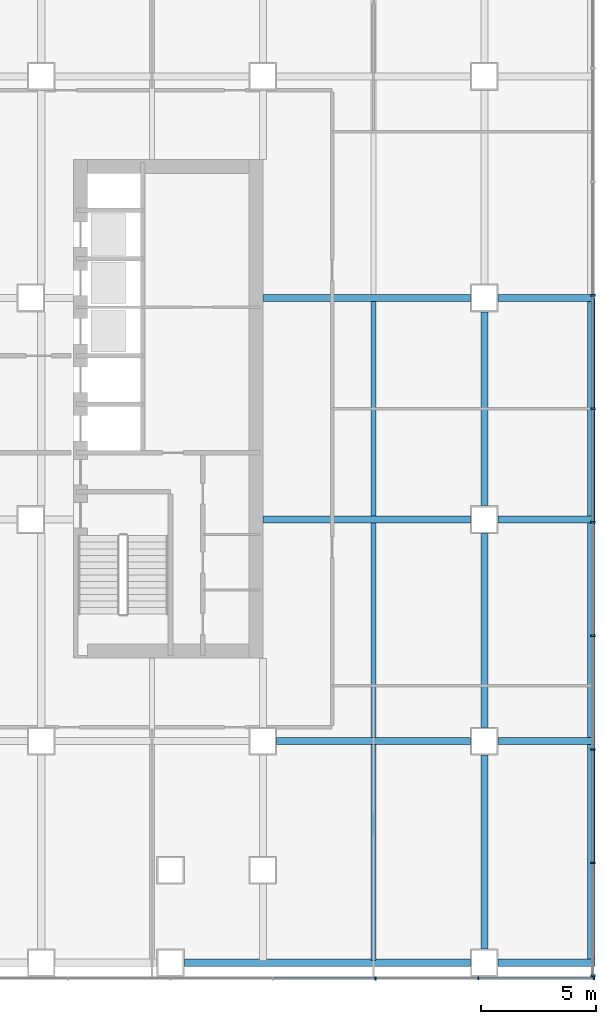
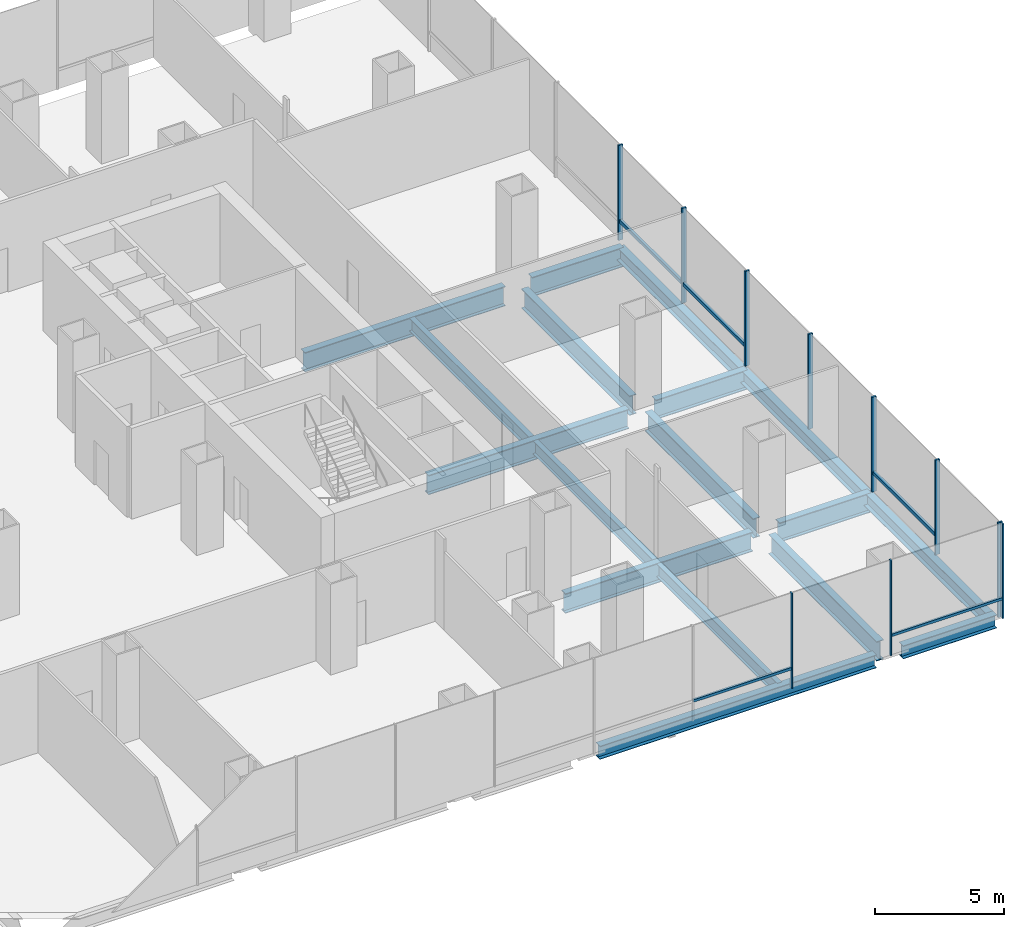
# One storey, part 12 of 23: 17 beams, 15 members, 2 elements without a shape of their own.
"""IFC4 building model written with IfcOpenShell, lengths in metres."""

from ifc_helpers import new_model, si_unit, direction, frame, origin, origin_2d, place, context, subcontext, project, spatial, rectangle, i_section, extrude, material, material_profile, profile_set, type_object, element, aggregate, save


model = new_model("IFC4")

# Units and contexts
model_context = context("Model", 3, precision=1e-05, world=origin(), true_north=direction((0.0, 1.0)))
body_context = subcontext(model_context, "Body", "Model", "MODEL_VIEW")
ifc_project = project(units=[si_unit("LENGTHUNIT", "METRE"), si_unit("AREAUNIT", "SQUARE_METRE"), si_unit("VOLUMEUNIT", "CUBIC_METRE"), si_unit("PLANEANGLEUNIT", "RADIAN"), si_unit("MASSUNIT", "GRAM", prefix="KILO")], contexts=[model_context])

# Site, building, storey
site_placement = place(None, origin())
site = spatial("IfcSite", under=ifc_project, at=site_placement, CompositionType="ELEMENT")
building_placement = place(site_placement, origin())
building = spatial("IfcBuilding", under=site, at=building_placement, Name="Cobrizo Arcos Hotel Tower", CompositionType="ELEMENT")
storey_placement = place(building_placement, frame((0.0, 0.0, 20.0)))
storey = spatial("IfcBuildingStorey", under=building, at=storey_placement, Name="L03", CompositionType="ELEMENT", Elevation=20.0)

# Curtain wall, members
ifc_material_1 = material(Name="Aluminium 6063-T6 anodised bronze", Category="aluminium")
curtain_wall_type_1 = type_object("IfcCurtainWallType", Name="CW-A guest facade", PredefinedType="NOTDEFINED", material=ifc_material_1)
curtain_wall_1_placement = place(storey_placement, origin())
curtain_wall_1 = element("IfcCurtainWall", 1, at=curtain_wall_1_placement, inside=storey, type_object=curtain_wall_type_1, Name="CW-A L03 S face", PredefinedType="NOTDEFINED")
ifc_material_profile_1 = material_profile(ifc_material_1, rectangle(XDim=0.14990234375, YDim=0.06005859375, at=origin_2d()), Name="CW-A mullion 150x60")
ifc_profile_set_1 = profile_set([ifc_material_profile_1], Name="Aluminium 6063-T6 anodised bronze")
member_type_1 = type_object("IfcMemberType", Name="CW-A mullion 150x60", PredefinedType="MULLION", material=ifc_profile_set_1)
member_1_placement = place(storey_placement, frame((28.888916015625, -24.675048828125, 0.0), z_axis=(0.0, 0.0, 1.0), x_axis=(0.0, -1.0, 0.0)))
member_1 = element("IfcMember", 2, at=member_1_placement, type_object=member_type_1, Name="CW-A mullion 16", PredefinedType="MULLION", context=body_context, shape_type="SweptSolid", body=[
    extrude(rectangle(XDim=0.14990234375, YDim=0.06005859375, at=origin_2d()), origin(), (0.0, 0.0, 1.0), 4.5),
])
member_2_placement = place(storey_placement, frame((33.333251953125, -24.675048828125, 0.0), z_axis=(0.0, 0.0, 1.0), x_axis=(0.0, -1.0, 0.0)))
member_2 = element("IfcMember", 3, at=member_2_placement, type_object=member_type_1, Name="CW-A mullion 17", PredefinedType="MULLION", context=body_context, shape_type="SweptSolid", body=[
    extrude(rectangle(XDim=0.14990234375, YDim=0.06005859375, at=origin_2d()), origin(), (0.0, 0.0, 1.0), 4.5),
])
member_3_placement = place(storey_placement, frame((38.344970703125, -24.675048828125, 0.0), z_axis=(0.0, 0.0, 1.0), x_axis=(0.0, -1.0, 0.0)))
member_3 = element("IfcMember", 4, at=member_3_placement, type_object=member_type_1, Name="CW-A mullion 18", PredefinedType="MULLION", context=body_context, shape_type="SweptSolid", body=[
    extrude(rectangle(XDim=0.14990234375, YDim=0.06005859375, at=origin_2d()), origin(), (0.0, 0.0, 1.0), 4.5),
])
ifc_material_profile_2 = material_profile(ifc_material_1, rectangle(XDim=0.10009765625, YDim=0.1201171875, at=origin_2d()), Name="CW-A transom 120x100")
ifc_profile_set_2 = profile_set([ifc_material_profile_2], Name="Aluminium 6063-T6 anodised bronze")
member_type_2 = type_object("IfcMemberType", Name="CW-A transom 120x100", PredefinedType="USERDEFINED", material=ifc_profile_set_2)
member_4_placement = place(storey_placement, frame((24.474365234375, -24.675048828125, 0.929931640625), z_axis=(1.0, 0.0, 0.0), x_axis=(0.0, 1.0, 0.0)))
member_4 = element("IfcMember", 5, at=member_4_placement, type_object=member_type_2, Name="CW-A transom 212", ObjectType="TRANSOM", PredefinedType="USERDEFINED", context=body_context, shape_type="SweptSolid", body=[
    extrude(rectangle(XDim=0.10009765625, YDim=0.1201171875, at=origin_2d()), origin(), (0.0, 0.0, 1.0), 4.384521484375),
])
member_5_placement = place(storey_placement, frame((33.36328125, -24.675048828125, 0.929931640625), z_axis=(1.0, 0.0, 0.0), x_axis=(0.0, 1.0, 0.0)))
member_5 = element("IfcMember", 6, at=member_5_placement, type_object=member_type_2, Name="CW-A transom 214", ObjectType="TRANSOM", PredefinedType="USERDEFINED", context=body_context, shape_type="SweptSolid", body=[
    extrude(rectangle(XDim=0.10009765625, YDim=0.1201171875, at=origin_2d()), origin(), (0.0, 0.0, 1.0), 4.95166015625),
])
aggregate(curtain_wall_1, [member_1, member_2, member_3, member_4, member_5])

curtain_wall_type_2 = type_object("IfcCurtainWallType", Name="CW-B podium glazing", PredefinedType="NOTDEFINED", material=ifc_material_1)
curtain_wall_2_placement = place(storey_placement, origin())
curtain_wall_2 = element("IfcCurtainWall", 7, at=curtain_wall_2_placement, inside=storey, type_object=curtain_wall_type_2, Name="CW-B L03 E face", PredefinedType="NOTDEFINED")
ifc_material_profile_3 = material_profile(ifc_material_1, rectangle(XDim=0.199951171875, YDim=0.080078125, at=origin_2d()), Name="CW-B mullion 200x80")
ifc_profile_set_3 = profile_set([ifc_material_profile_3], Name="Aluminium 6063-T6 anodised bronze")
member_type_3 = type_object("IfcMemberType", Name="CW-B mullion 200x80", PredefinedType="MULLION", material=ifc_profile_set_3)
member_6_placement = place(storey_placement, frame((38.300048828125, -24.56005859375, 0.0), z_axis=(0.0, 0.0, 1.0), x_axis=(1.0, 0.0, 0.0)))
member_6 = element("IfcMember", 8, at=member_6_placement, type_object=member_type_3, Name="CW-B mullion 1", PredefinedType="MULLION", context=body_context, shape_type="SweptSolid", body=[
    extrude(rectangle(XDim=0.199951171875, YDim=0.080078125, at=origin_2d()), origin(), (0.0, 0.0, 1.0), 4.5),
])
member_7_placement = place(storey_placement, frame((38.300048828125, -19.679931640625, 0.0), z_axis=(0.0, 0.0, 1.0), x_axis=(1.0, 0.0, 0.0)))
member_7 = element("IfcMember", 9, at=member_7_placement, type_object=member_type_3, Name="CW-B mullion 2", PredefinedType="MULLION", context=body_context, shape_type="SweptSolid", body=[
    extrude(rectangle(XDim=0.199951171875, YDim=0.080078125, at=origin_2d()), origin(), (0.0, 0.0, 1.0), 4.5),
])
member_8_placement = place(storey_placement, frame((38.300048828125, -14.760009765625, 0.0), z_axis=(0.0, 0.0, 1.0), x_axis=(1.0, 0.0, 0.0)))
member_8 = element("IfcMember", 10, at=member_8_placement, type_object=member_type_3, Name="CW-B mullion 3", PredefinedType="MULLION", context=body_context, shape_type="SweptSolid", body=[
    extrude(rectangle(XDim=0.199951171875, YDim=0.080078125, at=origin_2d()), origin(), (0.0, 0.0, 1.0), 4.5),
])
member_9_placement = place(storey_placement, frame((38.300048828125, -9.840087890625, 0.0), z_axis=(0.0, 0.0, 1.0), x_axis=(1.0, 0.0, 0.0)))
member_9 = element("IfcMember", 11, at=member_9_placement, type_object=member_type_3, Name="CW-B mullion 4", PredefinedType="MULLION", context=body_context, shape_type="SweptSolid", body=[
    extrude(rectangle(XDim=0.199951171875, YDim=0.080078125, at=origin_2d()), origin(), (0.0, 0.0, 1.0), 4.5),
])
member_10_placement = place(storey_placement, frame((38.300048828125, -4.919921875, 0.0), z_axis=(0.0, 0.0, 1.0), x_axis=(1.0, 0.0, 0.0)))
member_10 = element("IfcMember", 12, at=member_10_placement, type_object=member_type_3, Name="CW-B mullion 5", PredefinedType="MULLION", context=body_context, shape_type="SweptSolid", body=[
    extrude(rectangle(XDim=0.199951171875, YDim=0.080078125, at=origin_2d()), origin(), (0.0, 0.0, 1.0), 4.5),
])
member_11_placement = place(storey_placement, frame((38.300048828125, 0.0, 0.0), z_axis=(0.0, 0.0, 1.0), x_axis=(1.0, 0.0, 0.0)))
member_11 = element("IfcMember", 13, at=member_11_placement, type_object=member_type_3, Name="CW-B mullion 6", PredefinedType="MULLION", context=body_context, shape_type="SweptSolid", body=[
    extrude(rectangle(XDim=0.199951171875, YDim=0.080078125, at=origin_2d()), origin(), (0.0, 0.0, 1.0), 4.5),
])
member_12_placement = place(storey_placement, frame((38.300048828125, 4.919921875, 0.0), z_axis=(0.0, 0.0, 1.0), x_axis=(1.0, 0.0, 0.0)))
member_12 = element("IfcMember", 14, at=member_12_placement, type_object=member_type_3, Name="CW-B mullion 7", PredefinedType="MULLION", context=body_context, shape_type="SweptSolid", body=[
    extrude(rectangle(XDim=0.199951171875, YDim=0.080078125, at=origin_2d()), origin(), (0.0, 0.0, 1.0), 4.5),
])
ifc_material_profile_4 = material_profile(ifc_material_1, rectangle(XDim=0.1201171875, YDim=0.159912109375, at=origin_2d()), Name="CW-B transom 160x120")
ifc_profile_set_4 = profile_set([ifc_material_profile_4], Name="Aluminium 6063-T6 anodised bronze")
member_type_4 = type_object("IfcMemberType", Name="CW-B transom 160x120", PredefinedType="USERDEFINED", material=ifc_profile_set_4)
member_13_placement = place(storey_placement, frame((38.300048828125, -19.639892578125, 0.89990234375), z_axis=(0.0, 1.0, 0.0), x_axis=(-1.0, 0.0, 0.0)))
member_13 = element("IfcMember", 15, at=member_13_placement, type_object=member_type_4, Name="CW-B transom 162", ObjectType="TRANSOM", PredefinedType="USERDEFINED", context=body_context, shape_type="SweptSolid", body=[
    extrude(rectangle(XDim=0.1201171875, YDim=0.159912109375, at=origin_2d()), origin(), (0.0, 0.0, 1.0), 4.83984375),
])
member_14_placement = place(storey_placement, frame((38.300048828125, -4.8798828125, 0.89990234375), z_axis=(0.0, 1.0, 0.0), x_axis=(-1.0, 0.0, 0.0)))
member_14 = element("IfcMember", 16, at=member_14_placement, type_object=member_type_4, Name="CW-B transom 165", ObjectType="TRANSOM", PredefinedType="USERDEFINED", context=body_context, shape_type="SweptSolid", body=[
    extrude(rectangle(XDim=0.1201171875, YDim=0.159912109375, at=origin_2d()), origin(), (0.0, 0.0, 1.0), 4.83984375),
])
member_15_placement = place(storey_placement, frame((38.300048828125, 0.0400390625, 0.89990234375), z_axis=(0.0, 1.0, 0.0), x_axis=(-1.0, 0.0, 0.0)))
member_15 = element("IfcMember", 17, at=member_15_placement, type_object=member_type_4, Name="CW-B transom 166", ObjectType="TRANSOM", PredefinedType="USERDEFINED", context=body_context, shape_type="SweptSolid", body=[
    extrude(rectangle(XDim=0.1201171875, YDim=0.159912109375, at=origin_2d()), origin(), (0.0, 0.0, 1.0), 4.83984375),
])
aggregate(curtain_wall_2, [member_6, member_7, member_8, member_9, member_10, member_11, member_12, member_13, member_14, member_15])

# Beams
ifc_material_2 = material(Name="Steel ASTM A992 Grade 50", Category="steel")
ifc_material_profile_5 = material_profile(ifc_material_2, i_section(OverallWidth=0.32763671875, OverallDepth=0.622314453125, WebThickness=0.015380859375, FlangeThickness=0.0244140625, at=origin_2d()), Name="W24X131")
ifc_profile_set_5 = profile_set([ifc_material_profile_5], Name="Steel ASTM A992 Grade 50")
beam_type_1 = type_object("IfcBeamType", Name="W24X131 edge beam", PredefinedType="BEAM", material=ifc_profile_set_5)
beam_1_placement = place(storey_placement, frame((38.236083984375, -24.0, -0.51123046875), z_axis=(0.0, 1.0, 0.0), x_axis=(-1.0, 0.0, 0.0)))
element("IfcBeam", 18, at=beam_1_placement, inside=storey, type_object=beam_type_1, Name="Edge beam EB1, L03, no. 001", PredefinedType="BEAM", context=body_context, shape_type="SweptSolid", body=[
    extrude(i_section(OverallWidth=0.32763671875, OverallDepth=0.622314453125, WebThickness=0.015380859375, FlangeThickness=0.0244140625, at=origin_2d()), origin(), (0.0, 0.0, 1.0), 9.60009765625),
])
beam_2_placement = place(storey_placement, frame((38.236083984375, -14.39990234375, -0.51123046875), z_axis=(0.0, 1.0, 0.0), x_axis=(-1.0, 0.0, 0.0)))
element("IfcBeam", 19, at=beam_2_placement, inside=storey, type_object=beam_type_1, Name="Edge beam EB1, L03, no. 002", PredefinedType="BEAM", context=body_context, shape_type="SweptSolid", body=[
    extrude(i_section(OverallWidth=0.32763671875, OverallDepth=0.622314453125, WebThickness=0.015380859375, FlangeThickness=0.0244140625, at=origin_2d()), origin(), (0.0, 0.0, 1.0), 9.599853515625),
])
beam_3_placement = place(storey_placement, frame((38.236083984375, -4.800048828125, -0.51123046875), z_axis=(0.0, 1.0, 0.0), x_axis=(-1.0, 0.0, 0.0)))
element("IfcBeam", 20, at=beam_3_placement, inside=storey, type_object=beam_type_1, Name="Edge beam EB1, L03, no. 003", PredefinedType="BEAM", context=body_context, shape_type="SweptSolid", body=[
    extrude(i_section(OverallWidth=0.32763671875, OverallDepth=0.622314453125, WebThickness=0.015380859375, FlangeThickness=0.0244140625, at=origin_2d()), origin(), (0.0, 0.0, 1.0), 9.60009765625),
])
beam_4_placement = place(storey_placement, frame((34.199951171875, -24.0, -0.51123046875), z_axis=(1.0, 0.0, 0.0), x_axis=(0.0, 1.0, 0.0)))
element("IfcBeam", 21, at=beam_4_placement, inside=storey, type_object=beam_type_1, Name="Edge beam EB1, L03, no. 014", PredefinedType="BEAM", context=body_context, shape_type="SweptSolid", body=[
    extrude(i_section(OverallWidth=0.32763671875, OverallDepth=0.622314453125, WebThickness=0.015380859375, FlangeThickness=0.0244140625, at=origin_2d()), origin(), (0.0, 0.0, 1.0), 4.199951171875),
])
ifc_material_profile_6 = material_profile(ifc_material_2, i_section(OverallWidth=0.32763671875, OverallDepth=0.622314453125, WebThickness=0.015380859375, FlangeThickness=0.0244140625, at=origin_2d()), Name="W24X131")
ifc_profile_set_6 = profile_set([ifc_material_profile_6], Name="Steel ASTM A992 Grade 50")
beam_type_2 = type_object("IfcBeamType", Name="W24X131 spandrel", PredefinedType="SPANDREL", material=ifc_profile_set_6)
beam_5_placement = place(storey_placement, frame((20.60009765625, -24.0, -0.51123046875), z_axis=(1.0, 0.0, 0.0), x_axis=(0.0, 1.0, 0.0)))
element("IfcBeam", 22, at=beam_5_placement, inside=storey, type_object=beam_type_2, Name="Spandrel beam W24X131, L03, no. 014", PredefinedType="SPANDREL", context=body_context, shape_type="SweptSolid", body=[
    extrude(i_section(OverallWidth=0.32763671875, OverallDepth=0.622314453125, WebThickness=0.015380859375, FlangeThickness=0.0244140625, at=origin_2d()), origin(), (0.0, 0.0, 1.0), 12.39990234375),
])
ifc_material_profile_7 = material_profile(ifc_material_2, i_section(OverallWidth=0.23046875, OverallDepth=0.6171875, WebThickness=0.01318359375, FlangeThickness=0.022216796875, at=origin_2d()), Name="W24X94")
ifc_profile_set_7 = profile_set([ifc_material_profile_7], Name="Steel ASTM A992 Grade 50")
beam_type_3 = type_object("IfcBeamType", Name="W24X94 podium joist", PredefinedType="JOIST", material=ifc_profile_set_7)
beam_6_placement = place(storey_placement, frame((28.800048828125, -23.909912109375, -0.508544921875), z_axis=(0.0, 1.0, 0.0), x_axis=(-1.0, 0.0, 0.0)))
element("IfcBeam", 23, at=beam_6_placement, inside=storey, type_object=beam_type_3, Name="Podium joist PJ1, L03, no. 029", PredefinedType="JOIST", context=body_context, shape_type="SweptSolid", body=[
    extrude(i_section(OverallWidth=0.23046875, OverallDepth=0.6171875, WebThickness=0.01318359375, FlangeThickness=0.022216796875, at=origin_2d()), origin(), (0.0, 0.0, 1.0), 9.356201171875),
])
beam_7_placement = place(storey_placement, frame((28.800048828125, -14.246337890625, -0.508544921875), z_axis=(0.0, 1.0, 0.0), x_axis=(-1.0, 0.0, 0.0)))
element("IfcBeam", 24, at=beam_7_placement, inside=storey, type_object=beam_type_3, Name="Podium joist PJ1, L03, no. 030", PredefinedType="JOIST", context=body_context, shape_type="SweptSolid", body=[
    extrude(i_section(OverallWidth=0.23046875, OverallDepth=0.6171875, WebThickness=0.01318359375, FlangeThickness=0.022216796875, at=origin_2d()), origin(), (0.0, 0.0, 1.0), 9.292724609375),
])
beam_8_placement = place(storey_placement, frame((28.800048828125, -4.646240234375, -0.508544921875), z_axis=(0.0, 1.0, 0.0), x_axis=(-1.0, 0.0, 0.0)))
element("IfcBeam", 25, at=beam_8_placement, inside=storey, type_object=beam_type_3, Name="Podium joist PJ1, L03, no. 031", PredefinedType="JOIST", context=body_context, shape_type="SweptSolid", body=[
    extrude(i_section(OverallWidth=0.23046875, OverallDepth=0.6171875, WebThickness=0.01318359375, FlangeThickness=0.022216796875, at=origin_2d()), origin(), (0.0, 0.0, 1.0), 9.29248046875),
])
ifc_material_profile_8 = material_profile(ifc_material_2, i_section(OverallWidth=0.307373046875, OverallDepth=0.927001953125, WebThickness=0.01953125, FlangeThickness=0.031982421875, at=origin_2d()), Name="W36X194")
ifc_profile_set_8 = profile_set([ifc_material_profile_8], Name="Steel ASTM A992 Grade 50")
beam_type_4 = type_object("IfcBeamType", Name="W36X194 podium girder", PredefinedType="BEAM", material=ifc_profile_set_8)
beam_9_placement = place(storey_placement, frame((24.60009765625, -14.39990234375, -0.66357421875), z_axis=(1.0, 0.0, 0.0), x_axis=(0.0, 1.0, 0.0)))
element("IfcBeam", 26, at=beam_9_placement, inside=storey, type_object=beam_type_4, Name="Podium girder PG1, L03, no. 008", PredefinedType="BEAM", context=body_context, shape_type="SweptSolid", body=[
    extrude(i_section(OverallWidth=0.307373046875, OverallDepth=0.927001953125, WebThickness=0.01953125, FlangeThickness=0.031982421875, at=origin_2d()), origin(), (0.0, 0.0, 1.0), 8.39990234375),
])
beam_10_placement = place(storey_placement, frame((34.199951171875, -14.39990234375, -0.66357421875), z_axis=(1.0, 0.0, 0.0), x_axis=(0.0, 1.0, 0.0)))
element("IfcBeam", 27, at=beam_10_placement, inside=storey, type_object=beam_type_4, Name="Podium girder PG1, L03, no. 009", PredefinedType="BEAM", context=body_context, shape_type="SweptSolid", body=[
    extrude(i_section(OverallWidth=0.307373046875, OverallDepth=0.927001953125, WebThickness=0.01953125, FlangeThickness=0.031982421875, at=origin_2d()), origin(), (0.0, 0.0, 1.0), 4.110107421875),
])
beam_11_placement = place(storey_placement, frame((24.010009765625, -4.800048828125, -0.66357421875), z_axis=(1.0, 0.0, 0.0), x_axis=(0.0, 1.0, 0.0)))
element("IfcBeam", 28, at=beam_11_placement, inside=storey, type_object=beam_type_4, Name="Podium girder PG1, L03, no. 016", PredefinedType="BEAM", context=body_context, shape_type="SweptSolid", body=[
    extrude(i_section(OverallWidth=0.307373046875, OverallDepth=0.927001953125, WebThickness=0.01953125, FlangeThickness=0.031982421875, at=origin_2d()), origin(), (0.0, 0.0, 1.0), 8.989990234375),
])
beam_12_placement = place(storey_placement, frame((34.199951171875, -4.800048828125, -0.66357421875), z_axis=(1.0, 0.0, 0.0), x_axis=(0.0, 1.0, 0.0)))
element("IfcBeam", 29, at=beam_12_placement, inside=storey, type_object=beam_type_4, Name="Podium girder PG1, L03, no. 017", PredefinedType="BEAM", context=body_context, shape_type="SweptSolid", body=[
    extrude(i_section(OverallWidth=0.307373046875, OverallDepth=0.927001953125, WebThickness=0.01953125, FlangeThickness=0.031982421875, at=origin_2d()), origin(), (0.0, 0.0, 1.0), 4.110107421875),
])
beam_13_placement = place(storey_placement, frame((24.010009765625, 4.800048828125, -0.66357421875), z_axis=(1.0, 0.0, 0.0), x_axis=(0.0, 1.0, 0.0)))
element("IfcBeam", 30, at=beam_13_placement, inside=storey, type_object=beam_type_4, Name="Podium girder PG1, L03, no. 024", PredefinedType="BEAM", context=body_context, shape_type="SweptSolid", body=[
    extrude(i_section(OverallWidth=0.307373046875, OverallDepth=0.927001953125, WebThickness=0.01953125, FlangeThickness=0.031982421875, at=origin_2d()), origin(), (0.0, 0.0, 1.0), 8.989990234375),
])
beam_14_placement = place(storey_placement, frame((34.199951171875, 4.800048828125, -0.66357421875), z_axis=(1.0, 0.0, 0.0), x_axis=(0.0, 1.0, 0.0)))
element("IfcBeam", 31, at=beam_14_placement, inside=storey, type_object=beam_type_4, Name="Podium girder PG1, L03, no. 025", PredefinedType="BEAM", context=body_context, shape_type="SweptSolid", body=[
    extrude(i_section(OverallWidth=0.307373046875, OverallDepth=0.927001953125, WebThickness=0.01953125, FlangeThickness=0.031982421875, at=origin_2d()), origin(), (0.0, 0.0, 1.0), 4.110107421875),
])
beam_15_placement = place(storey_placement, frame((33.60009765625, -23.39990234375, -0.66357421875), z_axis=(0.0, 1.0, 0.0), x_axis=(-1.0, 0.0, 0.0)))
element("IfcBeam", 32, at=beam_15_placement, inside=storey, type_object=beam_type_4, Name="Podium girder PG1, L03, no. 072", PredefinedType="BEAM", context=body_context, shape_type="SweptSolid", body=[
    extrude(i_section(OverallWidth=0.307373046875, OverallDepth=0.927001953125, WebThickness=0.01953125, FlangeThickness=0.031982421875, at=origin_2d()), origin(), (0.0, 0.0, 1.0), 8.39990234375),
])
beam_16_placement = place(storey_placement, frame((33.60009765625, -13.800048828125, -0.66357421875), z_axis=(0.0, 1.0, 0.0), x_axis=(-1.0, 0.0, 0.0)))
element("IfcBeam", 33, at=beam_16_placement, inside=storey, type_object=beam_type_4, Name="Podium girder PG1, L03, no. 073", PredefinedType="BEAM", context=body_context, shape_type="SweptSolid", body=[
    extrude(i_section(OverallWidth=0.307373046875, OverallDepth=0.927001953125, WebThickness=0.01953125, FlangeThickness=0.031982421875, at=origin_2d()), origin(), (0.0, 0.0, 1.0), 8.400146484375),
])
beam_17_placement = place(storey_placement, frame((33.60009765625, -4.199951171875, -0.66357421875), z_axis=(0.0, 1.0, 0.0), x_axis=(-1.0, 0.0, 0.0)))
element("IfcBeam", 34, at=beam_17_placement, inside=storey, type_object=beam_type_4, Name="Podium girder PG1, L03, no. 074", PredefinedType="BEAM", context=body_context, shape_type="SweptSolid", body=[
    extrude(i_section(OverallWidth=0.307373046875, OverallDepth=0.927001953125, WebThickness=0.01953125, FlangeThickness=0.031982421875, at=origin_2d()), origin(), (0.0, 0.0, 1.0), 8.39990234375),
])

save(model, "model.ifc")
